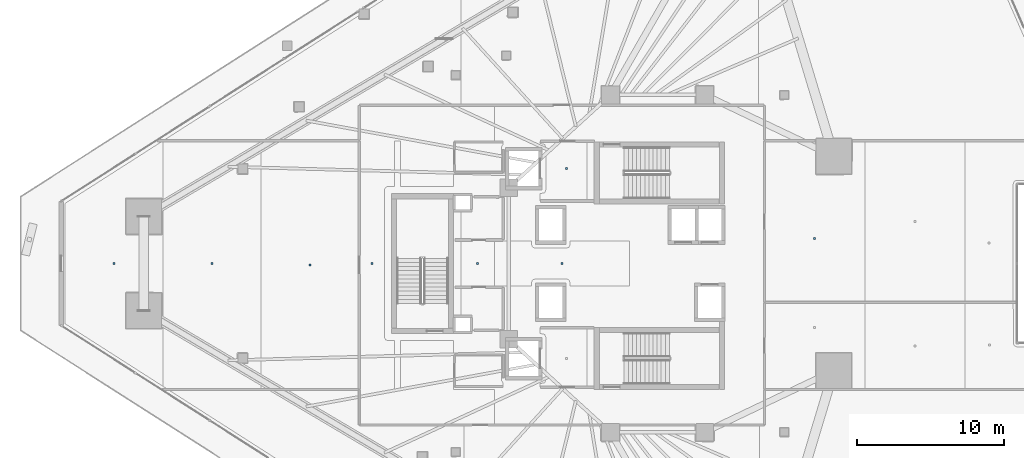
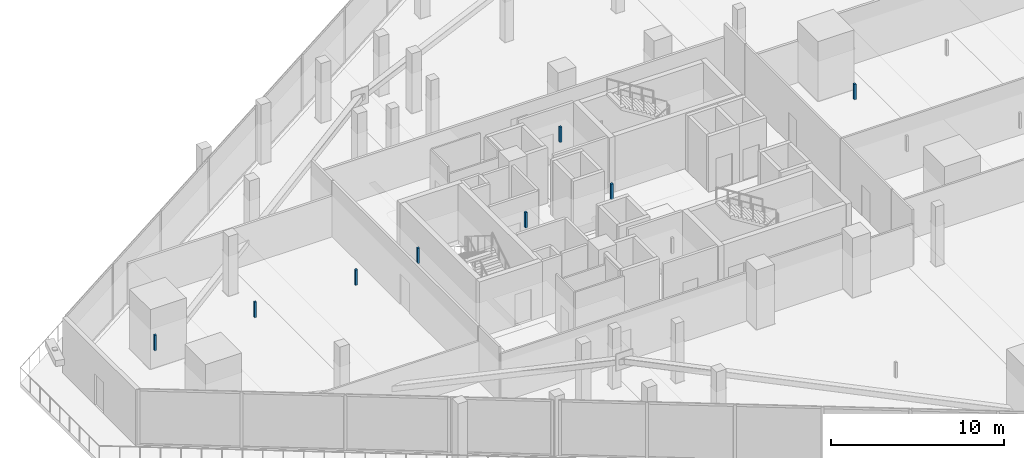
# One storey, part 33 of 43: 8 discrete accessories.
"""IFC4 building model written with IfcOpenShell, lengths in metres."""

import ifcopenshell
import ifcopenshell.guid

model = None  # the IFC model being written
_history = None  # IfcOwnerHistory: only IFC2X3 demands one
_inside = {}  # id of a spatial element -> (the spatial element, [elements in it])
_under = {}  # id of a project, library or spatial element -> (it, [spatial elements below it])
_declared = {}  # id of a project -> (the project, [libraries it declares])
_typed = {}  # id of a type object -> (the type object, [elements of that type])
_made_of = {}  # id of a material, layer set ... -> (it, [elements and type objects made of it])


def new_model(schema):
    """Start an empty IFC model of exactly this schema.

    Asked for "IFC4X3", IfcOpenShell would pick the latest addendum, in which some entities
    have other attributes; the version numbers below select the first issue.
    IFC2X3 requires an IfcOwnerHistory on every rooted entity: one is made here for all.
    """
    global model, _history
    if schema == "IFC4X3":
        model = ifcopenshell.file(schema_version=(4, 3, 0, 0))
    else:
        model = ifcopenshell.file(schema=schema)
    _inside.clear()
    _under.clear()
    _declared.clear()
    _typed.clear()
    _made_of.clear()
    _history = None
    if model.schema == "IFC2X3":
        org = make("IfcOrganization", Name="unknown")
        user = make(
            "IfcPersonAndOrganization",
            ThePerson=make("IfcPerson", FamilyName="unknown"),
            TheOrganization=org,
        )
        app = make(
            "IfcApplication",
            ApplicationDeveloper=org,
            Version="unknown",
            ApplicationFullName="unknown",
            ApplicationIdentifier="unknown",
        )
        _history = make(
            "IfcOwnerHistory",
            OwningUser=user,
            OwningApplication=app,
            ChangeAction="ADDED",
            CreationDate=0,
        )
    return model


def make(cls, **values):
    """One entity of the class cls with the attributes given. An attribute that is None is left unset."""
    return model.create_entity(
        cls, **{name: value for name, value in values.items() if value is not None}
    )


def rooted(cls, **values):
    """An entity with a GlobalId (a new one), such as an element, a storey or a relation."""
    return make(cls, GlobalId=ifcopenshell.guid.new(), OwnerHistory=_history, **values)


def si_unit(unit_type, name, prefix=None):
    """IfcSIUnit, for example si_unit("LENGTHUNIT", "METRE", prefix="MILLI")."""
    return make("IfcSIUnit", UnitType=unit_type, Prefix=prefix, Name=name)


def assignment(units):
    """IfcUnitAssignment: the units of a project."""
    return None if units is None else make("IfcUnitAssignment", Units=units)


def point(xyz):
    """IfcCartesianPoint."""
    return None if xyz is None else make("IfcCartesianPoint", Coordinates=xyz)


def direction(xyz):
    """IfcDirection."""
    return None if xyz is None else make("IfcDirection", DirectionRatios=xyz)


def frame(location, z_axis=None, x_axis=None):
    """IfcAxis2Placement3D, a coordinate frame: its origin and axes. An axis left out is left unset."""
    return make(
        "IfcAxis2Placement3D",
        Location=point(location),
        Axis=direction(z_axis),
        RefDirection=direction(x_axis),
    )


def frame_2d(location, x_axis=None):
    """IfcAxis2Placement2D, a coordinate frame in the plane: its origin and x axis."""
    return make(
        "IfcAxis2Placement2D", Location=point(location), RefDirection=direction(x_axis)
    )


def origin():
    """The frame at (0, 0, 0) with its axes left unset."""
    return frame((0.0, 0.0, 0.0))


def origin_2d():
    """The frame at (0, 0) in the plane with its x axis left unset."""
    return frame_2d((0.0, 0.0))


def place(relative_to, where):
    """IfcLocalPlacement: puts the frame where relative to a parent placement (None: the world)."""
    return make(
        "IfcLocalPlacement", PlacementRelTo=relative_to, RelativePlacement=where
    )


def context(
    kind, dimensions, precision=None, world=None, true_north=None, identifier=None
):
    """IfcGeometricRepresentationContext, for example the 3D "Model" context."""
    return make(
        "IfcGeometricRepresentationContext",
        ContextIdentifier=identifier,
        ContextType=kind,
        CoordinateSpaceDimension=dimensions,
        Precision=precision,
        WorldCoordinateSystem=world,
        TrueNorth=true_north,
    )


def subcontext(parent, identifier, kind, view, scale=None):
    """IfcGeometricRepresentationSubContext, for example "Body" below "Model"."""
    return make(
        "IfcGeometricRepresentationSubContext",
        ContextIdentifier=identifier,
        ContextType=kind,
        ParentContext=parent,
        TargetScale=scale,
        TargetView=view,
    )


def project(units=None, contexts=None):
    """IfcProject with its units and contexts."""
    return rooted(
        "IfcProject",
        Name="project",
        RepresentationContexts=contexts,
        UnitsInContext=assignment(units),
    )


def spatial(cls, under=None, at=None, **own):
    """A site, building, storey or space (cls), placed at a placement, below another one or the project."""
    s = rooted(cls, ObjectPlacement=at, **own)
    if under is not None:
        _under.setdefault(under.id(), (under, []))[1].append(s)
    return s


def profile(cls, at=None, kind="AREA", **sizes):
    """A parametric profile (cls). Its sizes go by their IFC names, for example OverallWidth=200.0."""
    return make(cls, ProfileType=kind, Position=at, **sizes)


def rectangle(**sizes):
    """IfcRectangleProfileDef."""
    return profile("IfcRectangleProfileDef", **sizes)


def extrude(swept, where, along, depth):
    """IfcExtrudedAreaSolid: the profile swept, set in the frame where, extruded along a direction by depth."""
    return make(
        "IfcExtrudedAreaSolid",
        SweptArea=swept,
        Position=where,
        ExtrudedDirection=direction(along),
        Depth=depth,
    )


def shape(context_of_items, identifier, shape_type, items):
    """IfcShapeRepresentation: the items that make up one representation, for example the "Body"."""
    return make(
        "IfcShapeRepresentation",
        ContextOfItems=context_of_items,
        RepresentationIdentifier=identifier,
        RepresentationType=shape_type,
        Items=items,
    )


def material(Name=None, Category=None):
    """IfcMaterial."""
    return make("IfcMaterial", Name=Name, Category=Category)


def made_of(thing, what):
    """Note that an element or type object is made of a material, layer set ...; save() writes the relation."""
    if what is not None:
        _made_of.setdefault(what.id(), (what, []))[1].append(thing)
    return thing


def type_object(cls, material=None, **own):
    """A type object (cls), such as IfcWallType, which elements share."""
    return made_of(rooted(cls, **own), material)


def element(
    cls,
    number,
    at=None,
    inside=None,
    cuts=None,
    type_object=None,
    material=None,
    context=None,
    identifier="Body",
    shape_type=None,
    held_by="IfcProductDefinitionShape",
    body=None,
    shapes=None,
    **own,
):
    """One element of the class cls, such as IfcWall. Its Tag is "e" and its number.

    at: its placement. inside: the storey or other place that contains it. cuts: it is an
    opening in that element (IfcRelVoidsElement). A single representation is given by context,
    identifier, shape_type and body (its items); several are given by shapes. held_by: the class
    of the entity that holds the representations. save() writes the other relations.
    """
    e = rooted(cls, Tag="e%d" % number, ObjectPlacement=at, **own)
    if body is not None:
        shapes = [shape(context, identifier, shape_type, body)]
    if shapes is not None:
        e.Representation = make(held_by, Representations=shapes)
    if inside is not None:
        _inside.setdefault(inside.id(), (inside, []))[1].append(e)
    if cuts is not None:
        rooted(
            "IfcRelVoidsElement", RelatingBuildingElement=cuts, RelatedOpeningElement=e
        )
    if type_object is not None:
        _typed.setdefault(type_object.id(), (type_object, []))[1].append(e)
    return made_of(e, material)


def aggregate(whole, parts):
    """IfcRelAggregates: a whole, such as a stair, and the parts it consists of."""
    return rooted("IfcRelAggregates", RelatingObject=whole, RelatedObjects=parts)


def save(model, path):
    """Write the relations noted so far, then the file.

    IfcRelAggregates (storeys below a building ...), IfcRelContainedInSpatialStructure (elements
    in a storey), IfcRelDefinesByType, IfcRelAssociatesMaterial and IfcRelDeclares: one each for
    every whole, place, type object, material and project.
    """
    for whole, parts in _under.values():
        aggregate(whole, parts)
    for where, things in _inside.values():
        rooted(
            "IfcRelContainedInSpatialStructure",
            RelatedElements=things,
            RelatingStructure=where,
        )
    for kind, things in _typed.values():
        rooted("IfcRelDefinesByType", RelatedObjects=things, RelatingType=kind)
    for what, things in _made_of.values():
        rooted("IfcRelAssociatesMaterial", RelatedObjects=things, RelatingMaterial=what)
    for by, libraries in _declared.values():
        rooted("IfcRelDeclares", RelatingContext=by, RelatedDefinitions=libraries)
    model.write(path)


model = new_model("IFC4")

# Units and contexts
model_context = context("Model", 3, precision=1e-05, world=origin(), true_north=direction((0.0, 1.0)))
body_context = subcontext(model_context, "Body", "Model", "MODEL_VIEW")
ifc_project = project(units=[si_unit("LENGTHUNIT", "METRE"), si_unit("AREAUNIT", "SQUARE_METRE"), si_unit("VOLUMEUNIT", "CUBIC_METRE"), si_unit("PLANEANGLEUNIT", "RADIAN"), si_unit("MASSUNIT", "GRAM", prefix="KILO")], contexts=[model_context])

# Site, building, storey
site_placement = place(None, origin())
site = spatial("IfcSite", under=ifc_project, at=site_placement, CompositionType="ELEMENT")
building_placement = place(site_placement, origin())
building = spatial("IfcBuilding", under=site, at=building_placement, Name="Qorvath Tower", CompositionType="ELEMENT")
storey_placement = place(building_placement, frame((0.0, 0.0, 36.60009765625)))
storey = spatial("IfcBuildingStorey", under=building, at=storey_placement, Name="L07", CompositionType="ELEMENT", Elevation=36.60009765625)

# Discrete accessories
ifc_material = material(Name="Galvanised steel bracket", Category="steel")
discrete_accessory_type = type_object("IfcDiscreteAccessoryType", Name="DA-BRACKET", PredefinedType="BRACKET", material=ifc_material)
for number, where, z_axis, x_axis, name in (
    (1, (-26.590087890625, 6.449951171875, 2.85986328125), (0.0, 0.0, 1.0), (1.0, 0.0, 0.0), "Acoustic Ceiling Suspension Hanger T1-L07-001"),
    (2, (-39.797607421875, 0.0, 2.85986328125), (0.0, 0.0, 1.0), (1.0, 0.0, 0.0), "Acoustic Ceiling Suspension Hanger T1-L07-007"),
    (3, (-32.620849609375, 0.0, 2.85986328125), (0.0, 0.0, 1.0), (1.0, 0.0, 0.0), "Acoustic Ceiling Suspension Hanger T1-L07-008"),
    (4, (-26.89990234375, 0.0, 2.85986328125), (0.0, 0.0, 1.0), (1.0, 0.0, 0.0), "Acoustic Ceiling Suspension Hanger T1-L07-009"),
    (5, (-9.7333984375, 1.693115234375, 2.85986328125), (0.0, 0.0, 1.0), (1.0, 0.0, 0.0), "Acoustic Ceiling Suspension Hanger T1-L07-016"),
    (6, (-57.316650390625, 0.0, 2.85986328125), (0.0, 0.0, 1.0), (1.0, 0.0, 0.0), "Acoustic Ceiling Suspension Hanger T1-L07-022"),
    (7, (-50.6552734375, 0.0, 2.85986328125), (0.0, 0.0, 1.0), (1.0, 0.0, 0.0), "Acoustic Ceiling Suspension Hanger T1-L07-023"),
    (8, (-43.99365234375, -0.10009765625, 2.85986328125), (0.0, 0.0, 1.0), (1.0, 0.0, 0.0), "Acoustic Ceiling Suspension Hanger T1-L07-024"),
):
    element("IfcDiscreteAccessory", number, at=place(storey_placement, frame(where, z_axis=z_axis, x_axis=x_axis)), inside=storey, type_object=discrete_accessory_type, Name=name, PredefinedType="NOTDEFINED", context=body_context, shape_type="SweptSolid", body=[
        extrude(rectangle(XDim=0.139892578125, YDim=0.139892578125, at=origin_2d()), origin(), (0.0, 0.0, 1.0), 1.090087890625),
    ])

save(model, "model.ifc")
